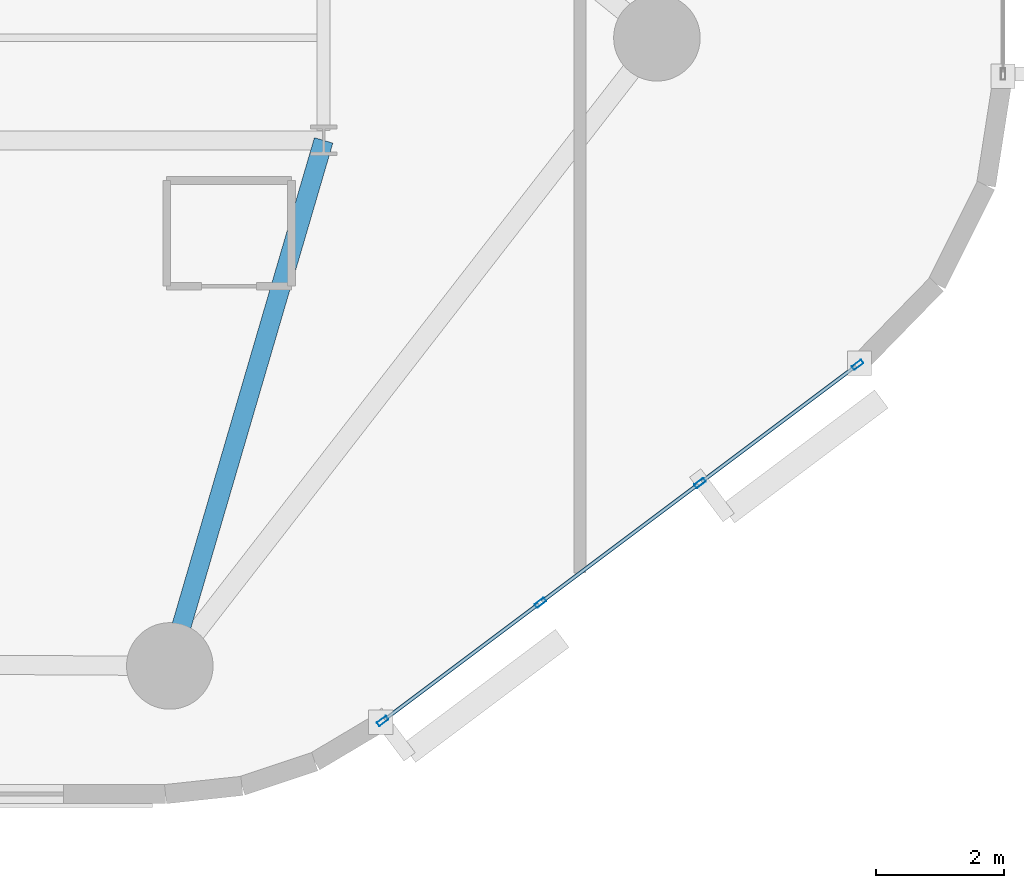
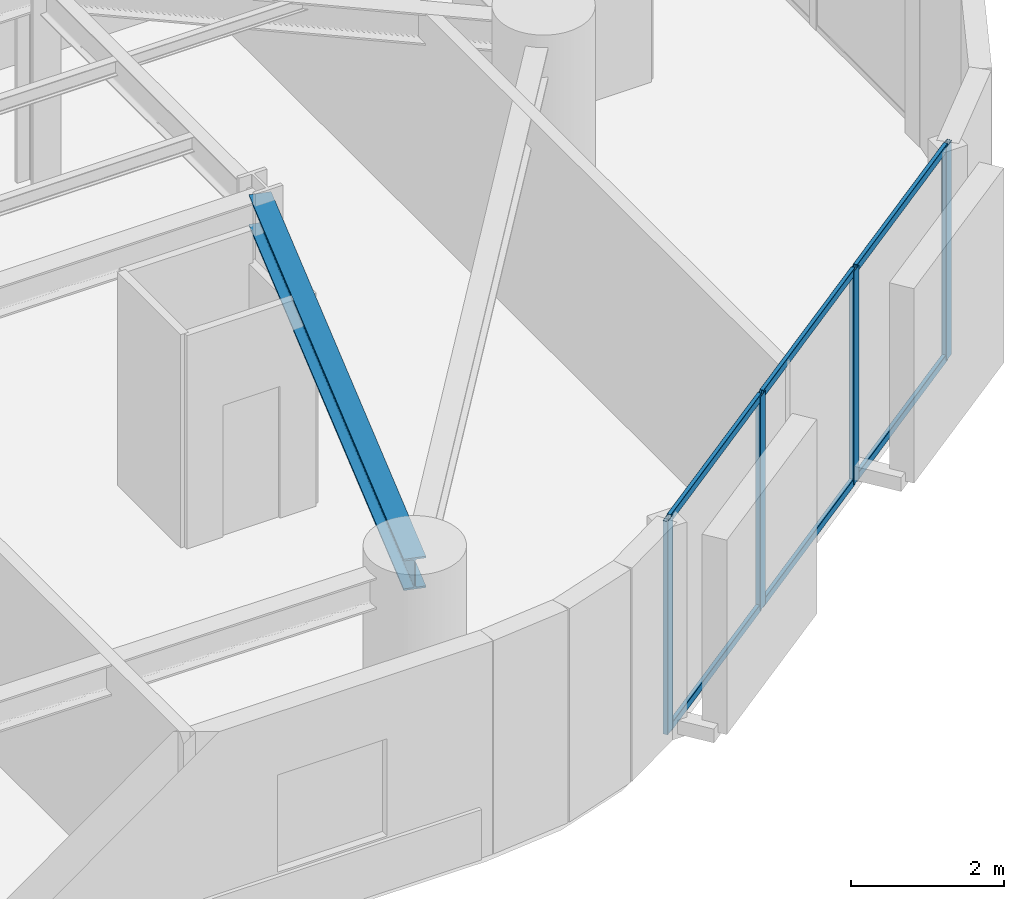
# One storey, part 2 of 16: 10 members, 1 beam, 1 element without a shape of its own.
"""IFC4 building model written with IfcOpenShell, lengths in metres."""

import ifcopenshell
import ifcopenshell.guid

model = None  # the IFC model being written
_history = None  # IfcOwnerHistory: only IFC2X3 demands one
_inside = {}  # id of a spatial element -> (the spatial element, [elements in it])
_under = {}  # id of a project, library or spatial element -> (it, [spatial elements below it])
_declared = {}  # id of a project -> (the project, [libraries it declares])
_typed = {}  # id of a type object -> (the type object, [elements of that type])
_made_of = {}  # id of a material, layer set ... -> (it, [elements and type objects made of it])


def new_model(schema):
    """Start an empty IFC model of exactly this schema.

    Asked for "IFC4X3", IfcOpenShell would pick the latest addendum, in which some entities
    have other attributes; the version numbers below select the first issue.
    IFC2X3 requires an IfcOwnerHistory on every rooted entity: one is made here for all.
    """
    global model, _history
    if schema == "IFC4X3":
        model = ifcopenshell.file(schema_version=(4, 3, 0, 0))
    else:
        model = ifcopenshell.file(schema=schema)
    _inside.clear()
    _under.clear()
    _declared.clear()
    _typed.clear()
    _made_of.clear()
    _history = None
    if model.schema == "IFC2X3":
        org = make("IfcOrganization", Name="unknown")
        user = make(
            "IfcPersonAndOrganization",
            ThePerson=make("IfcPerson", FamilyName="unknown"),
            TheOrganization=org,
        )
        app = make(
            "IfcApplication",
            ApplicationDeveloper=org,
            Version="unknown",
            ApplicationFullName="unknown",
            ApplicationIdentifier="unknown",
        )
        _history = make(
            "IfcOwnerHistory",
            OwningUser=user,
            OwningApplication=app,
            ChangeAction="ADDED",
            CreationDate=0,
        )
    return model


def make(cls, **values):
    """One entity of the class cls with the attributes given. An attribute that is None is left unset."""
    return model.create_entity(
        cls, **{name: value for name, value in values.items() if value is not None}
    )


def rooted(cls, **values):
    """An entity with a GlobalId (a new one), such as an element, a storey or a relation."""
    return make(cls, GlobalId=ifcopenshell.guid.new(), OwnerHistory=_history, **values)


def si_unit(unit_type, name, prefix=None):
    """IfcSIUnit, for example si_unit("LENGTHUNIT", "METRE", prefix="MILLI")."""
    return make("IfcSIUnit", UnitType=unit_type, Prefix=prefix, Name=name)


def assignment(units):
    """IfcUnitAssignment: the units of a project."""
    return None if units is None else make("IfcUnitAssignment", Units=units)


def point(xyz):
    """IfcCartesianPoint."""
    return None if xyz is None else make("IfcCartesianPoint", Coordinates=xyz)


def direction(xyz):
    """IfcDirection."""
    return None if xyz is None else make("IfcDirection", DirectionRatios=xyz)


def frame(location, z_axis=None, x_axis=None):
    """IfcAxis2Placement3D, a coordinate frame: its origin and axes. An axis left out is left unset."""
    return make(
        "IfcAxis2Placement3D",
        Location=point(location),
        Axis=direction(z_axis),
        RefDirection=direction(x_axis),
    )


def frame_2d(location, x_axis=None):
    """IfcAxis2Placement2D, a coordinate frame in the plane: its origin and x axis."""
    return make(
        "IfcAxis2Placement2D", Location=point(location), RefDirection=direction(x_axis)
    )


def origin():
    """The frame at (0, 0, 0) with its axes left unset."""
    return frame((0.0, 0.0, 0.0))


def origin_2d():
    """The frame at (0, 0) in the plane with its x axis left unset."""
    return frame_2d((0.0, 0.0))


def place(relative_to, where):
    """IfcLocalPlacement: puts the frame where relative to a parent placement (None: the world)."""
    return make(
        "IfcLocalPlacement", PlacementRelTo=relative_to, RelativePlacement=where
    )


def context(
    kind, dimensions, precision=None, world=None, true_north=None, identifier=None
):
    """IfcGeometricRepresentationContext, for example the 3D "Model" context."""
    return make(
        "IfcGeometricRepresentationContext",
        ContextIdentifier=identifier,
        ContextType=kind,
        CoordinateSpaceDimension=dimensions,
        Precision=precision,
        WorldCoordinateSystem=world,
        TrueNorth=true_north,
    )


def subcontext(parent, identifier, kind, view, scale=None):
    """IfcGeometricRepresentationSubContext, for example "Body" below "Model"."""
    return make(
        "IfcGeometricRepresentationSubContext",
        ContextIdentifier=identifier,
        ContextType=kind,
        ParentContext=parent,
        TargetScale=scale,
        TargetView=view,
    )


def project(units=None, contexts=None):
    """IfcProject with its units and contexts."""
    return rooted(
        "IfcProject",
        Name="project",
        RepresentationContexts=contexts,
        UnitsInContext=assignment(units),
    )


def spatial(cls, under=None, at=None, **own):
    """A site, building, storey or space (cls), placed at a placement, below another one or the project."""
    s = rooted(cls, ObjectPlacement=at, **own)
    if under is not None:
        _under.setdefault(under.id(), (under, []))[1].append(s)
    return s


def profile(cls, at=None, kind="AREA", **sizes):
    """A parametric profile (cls). Its sizes go by their IFC names, for example OverallWidth=200.0."""
    return make(cls, ProfileType=kind, Position=at, **sizes)


def hollow_rectangle(**sizes):
    """IfcRectangleHollowProfileDef."""
    return profile("IfcRectangleHollowProfileDef", **sizes)


def i_section(**sizes):
    """IfcIShapeProfileDef."""
    return profile("IfcIShapeProfileDef", **sizes)


def extrude(swept, where, along, depth):
    """IfcExtrudedAreaSolid: the profile swept, set in the frame where, extruded along a direction by depth."""
    return make(
        "IfcExtrudedAreaSolid",
        SweptArea=swept,
        Position=where,
        ExtrudedDirection=direction(along),
        Depth=depth,
    )


def shape(context_of_items, identifier, shape_type, items):
    """IfcShapeRepresentation: the items that make up one representation, for example the "Body"."""
    return make(
        "IfcShapeRepresentation",
        ContextOfItems=context_of_items,
        RepresentationIdentifier=identifier,
        RepresentationType=shape_type,
        Items=items,
    )


def material(Name=None, Category=None):
    """IfcMaterial."""
    return make("IfcMaterial", Name=Name, Category=Category)


def layer(
    of_material, thickness, ventilated=None, Name=None, Category=None, Priority=None
):
    """IfcMaterialLayer: one layer of a wall or slab, of a material (None: an air gap)."""
    return make(
        "IfcMaterialLayer",
        Material=of_material,
        LayerThickness=thickness,
        IsVentilated=ventilated,
        Name=Name,
        Category=Category,
        Priority=Priority,
    )


def layer_set(layers, Name=None):
    """IfcMaterialLayerSet."""
    return make("IfcMaterialLayerSet", MaterialLayers=layers, LayerSetName=Name)


def material_profile(
    of_material, cross_section, Name=None, Category=None, Priority=None
):
    """IfcMaterialProfile: a cross section and its material."""
    return make(
        "IfcMaterialProfile",
        Name=Name,
        Material=of_material,
        Profile=cross_section,
        Priority=Priority,
        Category=Category,
    )


def profile_set(profiles, Name=None, composite=None):
    """IfcMaterialProfileSet."""
    return make(
        "IfcMaterialProfileSet",
        Name=Name,
        MaterialProfiles=profiles,
        CompositeProfile=composite,
    )


def made_of(thing, what):
    """Note that an element or type object is made of a material, layer set ...; save() writes the relation."""
    if what is not None:
        _made_of.setdefault(what.id(), (what, []))[1].append(thing)
    return thing


def type_object(cls, material=None, **own):
    """A type object (cls), such as IfcWallType, which elements share."""
    return made_of(rooted(cls, **own), material)


def element(
    cls,
    number,
    at=None,
    inside=None,
    cuts=None,
    type_object=None,
    material=None,
    context=None,
    identifier="Body",
    shape_type=None,
    held_by="IfcProductDefinitionShape",
    body=None,
    shapes=None,
    **own,
):
    """One element of the class cls, such as IfcWall. Its Tag is "e" and its number.

    at: its placement. inside: the storey or other place that contains it. cuts: it is an
    opening in that element (IfcRelVoidsElement). A single representation is given by context,
    identifier, shape_type and body (its items); several are given by shapes. held_by: the class
    of the entity that holds the representations. save() writes the other relations.
    """
    e = rooted(cls, Tag="e%d" % number, ObjectPlacement=at, **own)
    if body is not None:
        shapes = [shape(context, identifier, shape_type, body)]
    if shapes is not None:
        e.Representation = make(held_by, Representations=shapes)
    if inside is not None:
        _inside.setdefault(inside.id(), (inside, []))[1].append(e)
    if cuts is not None:
        rooted(
            "IfcRelVoidsElement", RelatingBuildingElement=cuts, RelatedOpeningElement=e
        )
    if type_object is not None:
        _typed.setdefault(type_object.id(), (type_object, []))[1].append(e)
    return made_of(e, material)


def aggregate(whole, parts):
    """IfcRelAggregates: a whole, such as a stair, and the parts it consists of."""
    return rooted("IfcRelAggregates", RelatingObject=whole, RelatedObjects=parts)


def save(model, path):
    """Write the relations noted so far, then the file.

    IfcRelAggregates (storeys below a building ...), IfcRelContainedInSpatialStructure (elements
    in a storey), IfcRelDefinesByType, IfcRelAssociatesMaterial and IfcRelDeclares: one each for
    every whole, place, type object, material and project.
    """
    for whole, parts in _under.values():
        aggregate(whole, parts)
    for where, things in _inside.values():
        rooted(
            "IfcRelContainedInSpatialStructure",
            RelatedElements=things,
            RelatingStructure=where,
        )
    for kind, things in _typed.values():
        rooted("IfcRelDefinesByType", RelatedObjects=things, RelatingType=kind)
    for what, things in _made_of.values():
        rooted("IfcRelAssociatesMaterial", RelatedObjects=things, RelatingMaterial=what)
    for by, libraries in _declared.values():
        rooted("IfcRelDeclares", RelatingContext=by, RelatedDefinitions=libraries)
    model.write(path)


model = new_model("IFC4")

# Units and contexts
model_context = context("Model", 3, precision=1e-05, world=origin(), true_north=direction((0.0, 1.0)))
body_context = subcontext(model_context, "Body", "Model", "MODEL_VIEW")
ifc_project = project(units=[si_unit("LENGTHUNIT", "METRE"), si_unit("AREAUNIT", "SQUARE_METRE"), si_unit("VOLUMEUNIT", "CUBIC_METRE"), si_unit("PLANEANGLEUNIT", "RADIAN"), si_unit("MASSUNIT", "GRAM", prefix="KILO")], contexts=[model_context])

# Site, building, storey
site_placement = place(None, origin())
site = spatial("IfcSite", under=ifc_project, at=site_placement, CompositionType="ELEMENT")
building_placement = place(site_placement, origin())
building = spatial("IfcBuilding", under=site, at=building_placement, Name="An Khanh Terracotta Commons", CompositionType="ELEMENT")
storey_placement = place(building_placement, frame((0.0, 0.0, 100.699951171875)))
storey = spatial("IfcBuildingStorey", under=building, at=storey_placement, Name="L26", CompositionType="ELEMENT", Elevation=100.699951171875)

# Beam
ifc_material_1 = material(Name="Steel S355J2", Category="steel")
ifc_material_profile_1 = material_profile(ifc_material_1, i_section(OverallWidth=0.300048828125, OverallDepth=0.5, WebThickness=0.014404296875, FlangeThickness=0.028076171875, FilletRadius=0.027099609375, at=origin_2d()), Name="HEB500")
ifc_profile_set_1 = profile_set([ifc_material_profile_1], Name="Steel S355J2")
beam_type = type_object("IfcBeamType", Name="BM-HEB500", PredefinedType="BEAM", material=ifc_profile_set_1)
beam_placement = place(storey_placement, frame((44.39990234375, 6.199951171875, 3.150146484375), z_axis=(0.280916085823, 0.959732333896, 0.0), x_axis=(-0.959732333896, 0.280916085823, 0.0)))
element("IfcBeam", 1, at=beam_placement, inside=storey, type_object=beam_type, Name="L26 Mega-Column Tie Girder 2", PredefinedType="BEAM", context=body_context, shape_type="SweptSolid", body=[
    extrude(i_section(OverallWidth=0.300048828125, OverallDepth=0.5, WebThickness=0.014404296875, FlangeThickness=0.028076171875, FilletRadius=0.027099609375, at=origin_2d()), origin(), (0.0, 0.0, 1.0), 8.5439453125),
])

# Curtain wall, members
ifc_material_2 = material(Name="Anodised Aluminium 6063-T6", Category="aluminium")
ifc_layer = layer(ifc_material_2, 0.199951171875, Name="Anodised Aluminium 6063-T6")
ifc_layer_set = layer_set([ifc_layer], Name="Anodised Aluminium 6063-T6")
curtain_wall_type = type_object("IfcCurtainWallType", Name="CW-SYS-02", PredefinedType="USERDEFINED", material=ifc_layer_set)
curtain_wall_placement = place(storey_placement, origin())
curtain_wall = element("IfcCurtainWall", 2, at=curtain_wall_placement, inside=storey, type_object=curtain_wall_type, Name="L26 CW-02 Unitised Curtain Wall CW-L26-08", ObjectType="UNITISED CURTAIN WALL", PredefinedType="USERDEFINED")
ifc_material_profile_2 = material_profile(ifc_material_2, hollow_rectangle(XDim=0.070068359375, YDim=0.179931640625, WallThickness=0.00390625, InnerFilletRadius=0.00390625, OuterFilletRadius=0.008056640625, at=origin_2d()), Name="RHS180x70x4")
ifc_profile_set_2 = profile_set([ifc_material_profile_2], Name="Anodised Aluminium 6063-T6")
member_type_1 = type_object("IfcMemberType", Name="CWM-RHS180x70x4", PredefinedType="MULLION", material=ifc_profile_set_2)
member_1_placement = place(storey_placement, frame((47.720947265625, 5.341064453125, 0.0), z_axis=(0.0, 0.0, 1.0), x_axis=(-0.599982857492, 0.800012856594, 0.0)))
member_1 = element("IfcMember", 3, at=member_1_placement, type_object=member_type_1, Name="CW-02 mullion 1", PredefinedType="MULLION", context=body_context, shape_type="SweptSolid", body=[
    extrude(hollow_rectangle(XDim=0.070068359375, YDim=0.179931640625, WallThickness=0.00390625, InnerFilletRadius=0.00390625, OuterFilletRadius=0.008056640625, at=origin_2d()), origin(), (0.0, 0.0, 1.0), 3.400146484375),
])
member_2_placement = place(storey_placement, frame((50.181884765625, 7.186767578125, 0.0), z_axis=(0.0, 0.0, 1.0), x_axis=(-0.599982857492, 0.800012856594, 0.0)))
member_2 = element("IfcMember", 4, at=member_2_placement, type_object=member_type_1, Name="CW-02 mullion 2", PredefinedType="MULLION", context=body_context, shape_type="SweptSolid", body=[
    extrude(hollow_rectangle(XDim=0.070068359375, YDim=0.179931640625, WallThickness=0.00390625, InnerFilletRadius=0.00390625, OuterFilletRadius=0.008056640625, at=origin_2d()), origin(), (0.0, 0.0, 1.0), 3.400146484375),
])
member_3_placement = place(storey_placement, frame((52.6708984375, 9.05322265625, 0.0), z_axis=(0.0, 0.0, 1.0), x_axis=(-0.599982857492, 0.800012856594, 0.0)))
member_3 = element("IfcMember", 5, at=member_3_placement, type_object=member_type_1, Name="CW-02 mullion 3", PredefinedType="MULLION", context=body_context, shape_type="SweptSolid", body=[
    extrude(hollow_rectangle(XDim=0.070068359375, YDim=0.179931640625, WallThickness=0.00390625, InnerFilletRadius=0.00390625, OuterFilletRadius=0.008056640625, at=origin_2d()), origin(), (0.0, 0.0, 1.0), 3.400146484375),
])
member_4_placement = place(storey_placement, frame((55.132080078125, 10.89892578125, 0.0), z_axis=(0.0, 0.0, 1.0), x_axis=(-0.599982857492, 0.800012856594, 0.0)))
member_4 = element("IfcMember", 6, at=member_4_placement, type_object=member_type_1, Name="CW-02 mullion 4", PredefinedType="MULLION", context=body_context, shape_type="SweptSolid", body=[
    extrude(hollow_rectangle(XDim=0.070068359375, YDim=0.179931640625, WallThickness=0.00390625, InnerFilletRadius=0.00390625, OuterFilletRadius=0.008056640625, at=origin_2d()), origin(), (0.0, 0.0, 1.0), 3.400146484375),
])
ifc_material_profile_3 = material_profile(ifc_material_2, hollow_rectangle(XDim=0.06005859375, YDim=0.1201171875, WallThickness=0.003662109375, InnerFilletRadius=0.003662109375, OuterFilletRadius=0.007080078125, at=origin_2d()), Name="RHS120x60x3.6")
ifc_profile_set_3 = profile_set([ifc_material_profile_3], Name="Anodised Aluminium 6063-T6")
member_type_2 = type_object("IfcMemberType", Name="CWT-RHS120x60x3.6", PredefinedType="USERDEFINED", material=ifc_profile_set_3)
member_5_placement = place(storey_placement, frame((47.7490234375, 5.362060546875, 0.030029296875), z_axis=(0.800009745217, 0.599987006158, 0.0), x_axis=(-0.599987006158, 0.800009745217, 0.0)))
member_5 = element("IfcMember", 7, at=member_5_placement, type_object=member_type_2, Name="CW-02 transom 1.1", ObjectType="TRANSOM", PredefinedType="USERDEFINED", context=body_context, shape_type="SweptSolid", body=[
    extrude(hollow_rectangle(XDim=0.06005859375, YDim=0.1201171875, WallThickness=0.003662109375, InnerFilletRadius=0.003662109375, OuterFilletRadius=0.007080078125, at=origin_2d()), origin(), (0.0, 0.0, 1.0), 3.00634765625),
])
member_6_placement = place(storey_placement, frame((47.7490234375, 5.362060546875, 3.3701171875), z_axis=(0.800009745217, 0.599987006158, 0.0), x_axis=(-0.599987006158, 0.800009745217, 0.0)))
member_6 = element("IfcMember", 8, at=member_6_placement, type_object=member_type_2, Name="CW-02 transom 1.2", ObjectType="TRANSOM", PredefinedType="USERDEFINED", context=body_context, shape_type="SweptSolid", body=[
    extrude(hollow_rectangle(XDim=0.06005859375, YDim=0.1201171875, WallThickness=0.003662109375, InnerFilletRadius=0.003662109375, OuterFilletRadius=0.007080078125, at=origin_2d()), origin(), (0.0, 0.0, 1.0), 3.00634765625),
])
member_7_placement = place(storey_placement, frame((50.2099609375, 7.207763671875, 0.030029296875), z_axis=(0.800057796972, 0.599922929638, 0.0), x_axis=(-0.599922929638, 0.800057796972, 0.0)))
member_7 = element("IfcMember", 9, at=member_7_placement, type_object=member_type_2, Name="CW-02 transom 2.1", ObjectType="TRANSOM", PredefinedType="USERDEFINED", context=body_context, shape_type="SweptSolid", body=[
    extrude(hollow_rectangle(XDim=0.06005859375, YDim=0.1201171875, WallThickness=0.003662109375, InnerFilletRadius=0.003662109375, OuterFilletRadius=0.007080078125, at=origin_2d()), origin(), (0.0, 0.0, 1.0), 3.041259765625),
])
member_8_placement = place(storey_placement, frame((50.2099609375, 7.207763671875, 3.3701171875), z_axis=(0.800057796972, 0.599922929638, 0.0), x_axis=(-0.599922929638, 0.800057796972, 0.0)))
member_8 = element("IfcMember", 10, at=member_8_placement, type_object=member_type_2, Name="CW-02 transom 2.2", ObjectType="TRANSOM", PredefinedType="USERDEFINED", context=body_context, shape_type="SweptSolid", body=[
    extrude(hollow_rectangle(XDim=0.06005859375, YDim=0.1201171875, WallThickness=0.003662109375, InnerFilletRadius=0.003662109375, OuterFilletRadius=0.007080078125, at=origin_2d()), origin(), (0.0, 0.0, 1.0), 3.041259765625),
])
member_9_placement = place(storey_placement, frame((52.698974609375, 9.07421875, 0.030029296875), z_axis=(0.800009745217, 0.599987006158, 0.0), x_axis=(-0.599987006158, 0.800009745217, 0.0)))
member_9 = element("IfcMember", 11, at=member_9_placement, type_object=member_type_2, Name="CW-02 transom 3.1", ObjectType="TRANSOM", PredefinedType="USERDEFINED", context=body_context, shape_type="SweptSolid", body=[
    extrude(hollow_rectangle(XDim=0.06005859375, YDim=0.1201171875, WallThickness=0.003662109375, InnerFilletRadius=0.003662109375, OuterFilletRadius=0.007080078125, at=origin_2d()), origin(), (0.0, 0.0, 1.0), 3.00634765625),
])
member_10_placement = place(storey_placement, frame((52.698974609375, 9.07421875, 3.3701171875), z_axis=(0.800009745217, 0.599987006158, 0.0), x_axis=(-0.599987006158, 0.800009745217, 0.0)))
member_10 = element("IfcMember", 12, at=member_10_placement, type_object=member_type_2, Name="CW-02 transom 3.2", ObjectType="TRANSOM", PredefinedType="USERDEFINED", context=body_context, shape_type="SweptSolid", body=[
    extrude(hollow_rectangle(XDim=0.06005859375, YDim=0.1201171875, WallThickness=0.003662109375, InnerFilletRadius=0.003662109375, OuterFilletRadius=0.007080078125, at=origin_2d()), origin(), (0.0, 0.0, 1.0), 3.00634765625),
])
aggregate(curtain_wall, [member_1, member_2, member_3, member_4, member_5, member_6, member_7, member_8, member_9, member_10])

save(model, "model.ifc")
